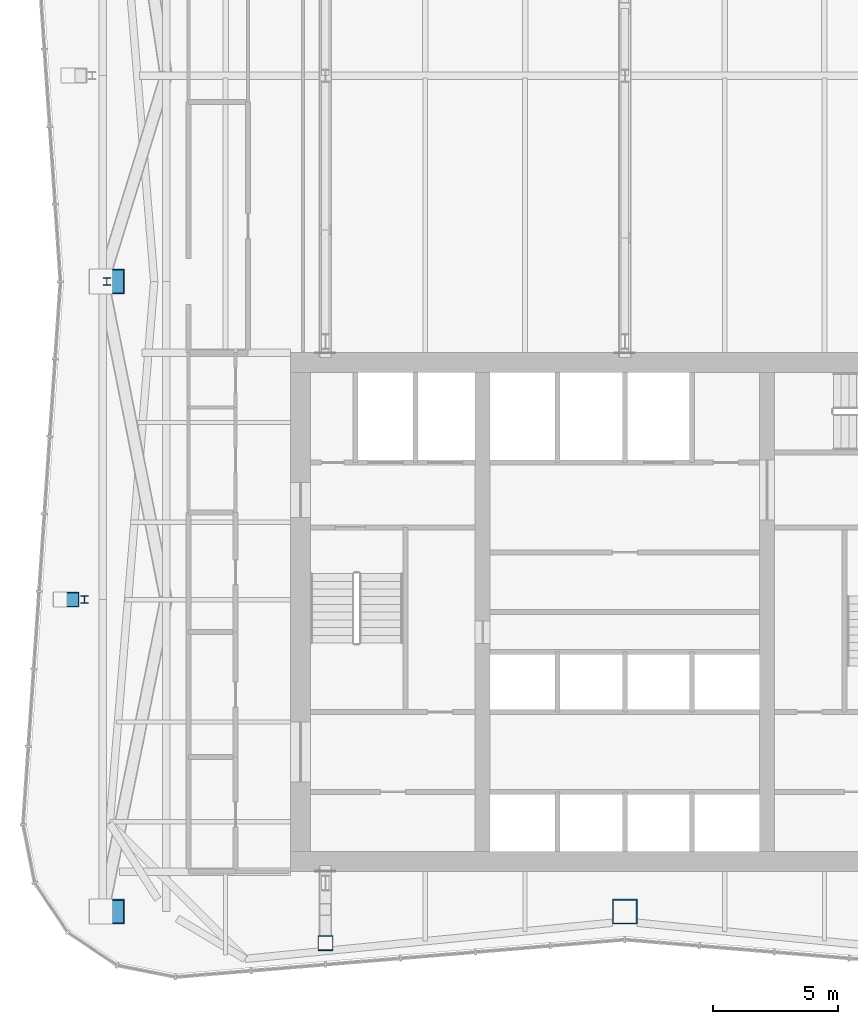
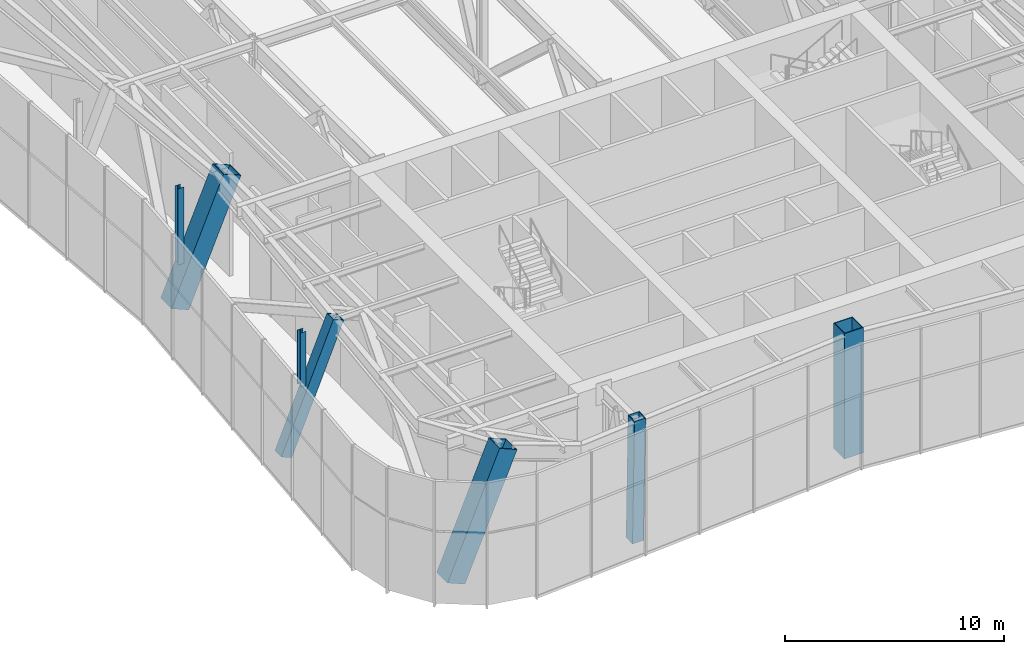
# One storey, part 1 of 17: 7 columns.
"""IFC4 building model written with IfcOpenShell, lengths in metres."""

from ifc_helpers import new_model, si_unit, direction, frame, origin, origin_2d, place, context, subcontext, project, spatial, hollow_rectangle, i_section, extrude, material, material_profile, profile_set, type_object, element, save


model = new_model("IFC4")

# Units and contexts
model_context = context("Model", 3, precision=1e-05, world=origin(), true_north=direction((0.0, 1.0)))
body_context = subcontext(model_context, "Body", "Model", "MODEL_VIEW")
ifc_project = project(units=[si_unit("LENGTHUNIT", "METRE"), si_unit("AREAUNIT", "SQUARE_METRE"), si_unit("VOLUMEUNIT", "CUBIC_METRE"), si_unit("PLANEANGLEUNIT", "RADIAN"), si_unit("MASSUNIT", "GRAM", prefix="KILO")], contexts=[model_context])

# Site, building, storey
site_placement = place(None, origin())
site = spatial("IfcSite", under=ifc_project, at=site_placement, CompositionType="ELEMENT")
building_placement = place(site_placement, origin())
building = spatial("IfcBuilding", under=site, at=building_placement, Name="Verdant Reach Tower", CompositionType="ELEMENT")
storey_placement = place(building_placement, frame((0.0, 0.0, 282.0)))
storey = spatial("IfcBuildingStorey", under=building, at=storey_placement, Name="L65 Plant", CompositionType="ELEMENT", Elevation=282.0)

# Columns
ifc_material = material(Name="Steel S460", Category="steel")
ifc_material_profile_1 = material_profile(ifc_material, hollow_rectangle(XDim=1.0, YDim=1.0, WallThickness=0.044921875, at=origin_2d()), Name="WB 1000x1000x45")
ifc_profile_set_1 = profile_set([ifc_material_profile_1], Name="Steel S460")
column_type_1 = type_object("IfcColumnType", Name="ST-COL-WB1000x1000x45", PredefinedType="COLUMN", material=ifc_profile_set_1)
column_1_placement = place(storey_placement, frame((0.0, 16.0, 0.0), z_axis=(0.0, 0.0, 1.0), x_axis=(1.0, 0.0, 0.0)))
element("IfcColumn", 1, at=column_1_placement, inside=storey, type_object=column_type_1, Name="Mega column south, L65 Plant", PredefinedType="COLUMN", context=body_context, shape_type="SweptSolid", body=[
    extrude(hollow_rectangle(XDim=1.0, YDim=1.0, WallThickness=0.044921875, at=origin_2d()), origin(), (0.0, 0.0, 1.0), 7.0),
])
for number, where, z_axis, x_axis, name in (
    (2, (-21.0, 16.0, 0.22265625), (0.386877430339, 0.0, 0.922131147882), (0.0, 1.0, 0.0), "Mega column south-west, L65 Plant"),
    (3, (-21.0, 41.25, 0.22265625), (0.386877430339, 0.0, 0.922131147882), (0.0, 1.0, 0.0), "Mega column west, L65 Plant"),
):
    element("IfcColumn", number, at=place(storey_placement, frame(where, z_axis=z_axis, x_axis=x_axis)), inside=storey, type_object=column_type_1, Name=name, PredefinedType="COLUMN", context=body_context, shape_type="SweptSolid", body=[
        extrude(hollow_rectangle(XDim=1.0, YDim=1.0, WallThickness=0.044921875, at=origin_2d()), origin(), (0.0, 0.0, 1.0), 7.108154296875),
    ])
ifc_material_profile_2 = material_profile(ifc_material, hollow_rectangle(XDim=0.60009765625, YDim=0.60009765625, WallThickness=0.02490234375, at=origin_2d()), Name="WB 600x600x25")
ifc_profile_set_2 = profile_set([ifc_material_profile_2], Name="Steel S460")
column_type_2 = type_object("IfcColumnType", Name="ST-COL-WB600x600x25", PredefinedType="COLUMN", material=ifc_profile_set_2)
column_2_placement = place(storey_placement, frame((-12.0, 14.75, 0.02880859375), z_axis=(0.0, -0.025979412411, 0.999662478105), x_axis=(1.0, 0.0, 0.0)))
element("IfcColumn", 4, at=column_2_placement, inside=storey, type_object=column_type_2, Name="Perimeter column south 1, L65 Plant", PredefinedType="COLUMN", context=body_context, shape_type="SweptSolid", body=[
    extrude(hollow_rectangle(XDim=0.60009765625, YDim=0.60009765625, WallThickness=0.02490234375, at=origin_2d()), origin(), (0.0, 0.0, 1.0), 6.94482421875),
])
column_3_placement = place(storey_placement, frame((-22.62939453125, 28.5, 0.1416015625), z_axis=(0.378894787682, 0.0, 0.925439754856), x_axis=(0.0, 1.0, 0.0)))
element("IfcColumn", 5, at=column_3_placement, inside=storey, type_object=column_type_2, Name="Perimeter column west 1, L65 Plant", PredefinedType="COLUMN", context=body_context, shape_type="SweptSolid", body=[
    extrude(hollow_rectangle(XDim=0.60009765625, YDim=0.60009765625, WallThickness=0.02490234375, at=origin_2d()), origin(), (0.0, 0.0, 1.0), 7.258056640625),
])
ifc_material_profile_3 = material_profile(ifc_material, i_section(OverallWidth=0.300048828125, OverallDepth=0.300048828125, WebThickness=0.010986328125, FlangeThickness=0.01904296875, FilletRadius=0.027099609375, at=origin_2d()), Name="HEB 300")
ifc_profile_set_3 = profile_set([ifc_material_profile_3], Name="Steel S460")
column_type_3 = type_object("IfcColumnType", Name="ST-DECK-POST-HEB300", PredefinedType="COLUMN", material=ifc_profile_set_3)
column_4_placement = place(storey_placement, frame((-20.760986328125, 41.25, 2.442138671875), z_axis=(0.0, 0.0, 1.0), x_axis=(1.0, 0.0, 0.0)))
element("IfcColumn", 6, at=column_4_placement, inside=storey, type_object=column_type_3, Name="Terrace deck post, column M-W, L65 Plant", PredefinedType="COLUMN", context=body_context, shape_type="SweptSolid", body=[
    extrude(i_section(OverallWidth=0.300048828125, OverallDepth=0.300048828125, WebThickness=0.010986328125, FlangeThickness=0.01904296875, FilletRadius=0.027099609375, at=origin_2d()), origin(), (0.0, 0.0, 1.0), 4.2578125),
])
column_5_placement = place(storey_placement, frame((-21.656982421875, 28.5, 3.6748046875), z_axis=(0.0, 0.0, 1.0), x_axis=(1.0, 0.0, 0.0)))
element("IfcColumn", 7, at=column_5_placement, inside=storey, type_object=column_type_3, Name="Terrace deck post, column P-W1, L65 Plant", PredefinedType="COLUMN", context=body_context, shape_type="SweptSolid", body=[
    extrude(i_section(OverallWidth=0.300048828125, OverallDepth=0.300048828125, WebThickness=0.010986328125, FlangeThickness=0.01904296875, FilletRadius=0.027099609375, at=origin_2d()), origin(), (0.0, 0.0, 1.0), 3.025146484375),
])

save(model, "model.ifc")
